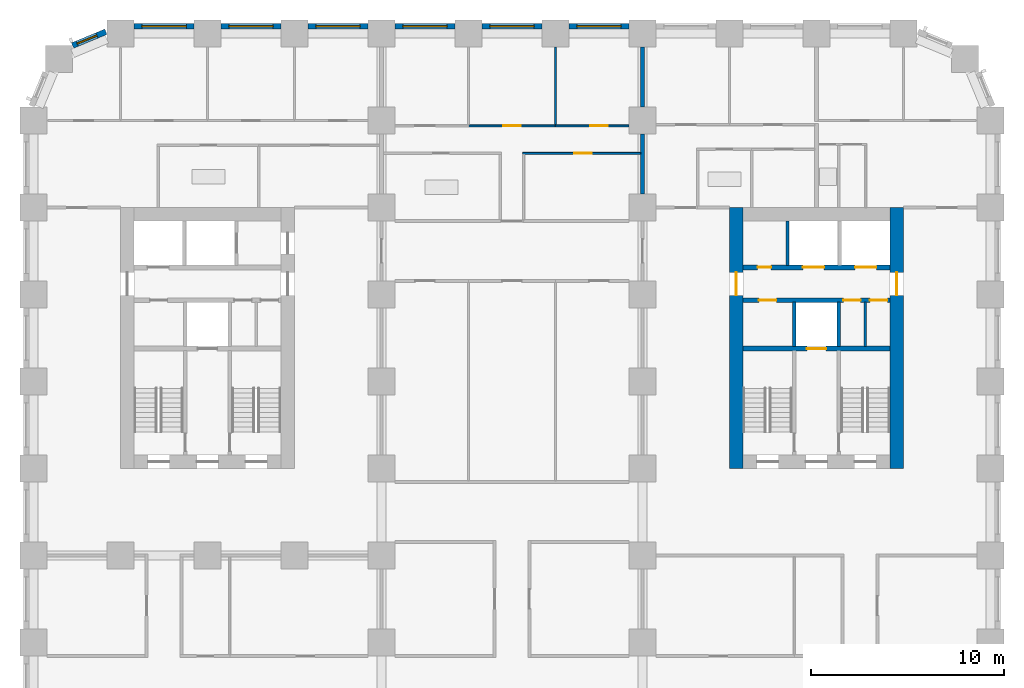
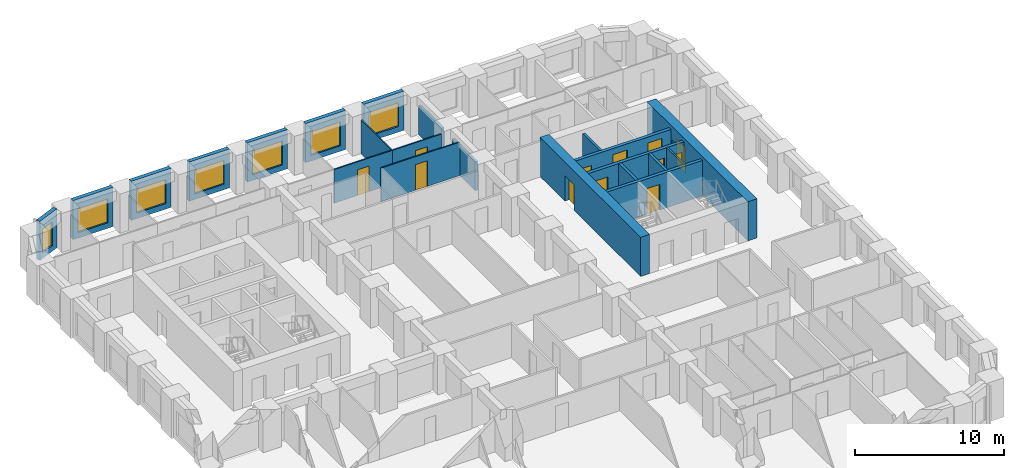
# One storey, part 8 of 13: 22 walls, 12 doors, 7 windows, 19 openings.
"""IFC4 building model written with IfcOpenShell, lengths in metres."""

from ifc_helpers import new_model, si_unit, direction, frame, frame_2d, origin, place, context, subcontext, project, spatial, rectangle, extrude, material, layer, layer_set, type_object, element, fill, save


model = new_model("IFC4")

# Units and contexts
model_context = context("Model", 3, precision=1e-05, world=origin(), true_north=direction((0.0, 1.0)))
body_context = subcontext(model_context, "Body", "Model", "MODEL_VIEW")
ifc_project = project(units=[si_unit("LENGTHUNIT", "METRE"), si_unit("AREAUNIT", "SQUARE_METRE"), si_unit("VOLUMEUNIT", "CUBIC_METRE"), si_unit("PLANEANGLEUNIT", "RADIAN"), si_unit("MASSUNIT", "GRAM", prefix="KILO")], contexts=[model_context])

# Site, building, storey
site_placement = place(None, origin())
site = spatial("IfcSite", under=ifc_project, at=site_placement, CompositionType="ELEMENT")
building_placement = place(site_placement, origin())
building = spatial("IfcBuilding", under=site, at=building_placement, Name="Girih Gate Residences", CompositionType="ELEMENT")
storey_placement = place(building_placement, frame((0.0, 0.0, 52.800048828125)))
storey = spatial("IfcBuildingStorey", under=building, at=storey_placement, Name="L13", CompositionType="ELEMENT", Elevation=52.800048828125)

# Wall, opening, door
ifc_material_1 = material(Name="Concrete C60/75", Category="concrete")
ifc_layer_1 = layer(ifc_material_1, 0.699951171875)
ifc_layer_set_1 = layer_set([ifc_layer_1], Name="Core wall RC 700 Concrete C60/75")
wall_type_1 = type_object("IfcWallType", Name="Core wall RC 700 Concrete C60/75", PredefinedType="SOLIDWALL", material=ifc_layer_set_1)
wall_1_placement = place(storey_placement, frame((36.35009765625, 27.0, 0.0), z_axis=(0.0, 0.0, 1.0), x_axis=(0.0, 1.0, 0.0)))
wall_1 = element("IfcWall", 1, at=wall_1_placement, inside=storey, type_object=wall_type_1, Name="Core wall E-W L13", PredefinedType="SOLIDWALL", context=body_context, shape_type="SweptSolid", body=[
    extrude(rectangle(XDim=13.5, YDim=0.699951171875, at=frame_2d((6.75, 0.0))), origin(), (0.0, 0.0, 1.0), 3.199951171875),
])
opening_1_placement = place(wall_1_placement, frame((8.949951171875, 0.0, 0.0)))
opening_1 = element("IfcOpeningElement", 2, at=opening_1_placement, cuts=wall_1, Name="Opening D-L13-E-013", PredefinedType="OPENING", context=body_context, shape_type="SweptSolid", body=[
    extrude(rectangle(XDim=1.199951171875, YDim=2.10009765625, at=frame_2d((0.60009765625, 1.050048828125))), frame((0.0, 0.35986328125, 0.0), z_axis=(0.0, -1.0, 0.0), x_axis=(1.0, 0.0, 0.0)), (0.0, 0.0, 1.0), 0.719970703125),
])
ifc_material_2 = material(Name="Painted steel, fire-resisting", Category="steel")
door_type_1 = type_object("IfcDoorType", Name="Fire door 1200x2100", OperationType="SINGLE_SWING_LEFT", PredefinedType="DOOR", material=ifc_material_2)
door_1_placement = place(opening_1_placement, origin())
door_1 = element("IfcDoor", 3, at=door_1_placement, inside=storey, type_object=door_type_1, Name="L13 E core door ll-w", OperationType="SINGLE_SWING_LEFT", OverallHeight=2.10009765625, OverallWidth=1.199951171875, PredefinedType="DOOR", context=body_context, shape_type="SweptSolid", body=[
    extrude(rectangle(XDim=1.199951171875, YDim=2.10009765625, at=frame_2d((0.60009765625, 1.050048828125))), frame((0.0, 0.02490234375, 0.0), z_axis=(0.0, -1.0, 0.0), x_axis=(1.0, 0.0, 0.0)), (0.0, 0.0, 1.0), 0.050048828125),
])
fill(opening_1, door_1)

wall_2_placement = place(storey_placement, frame((44.64990234375, 27.0, 0.0), z_axis=(0.0, 0.0, 1.0), x_axis=(0.0, 1.0, 0.0)))
wall_2 = element("IfcWall", 4, at=wall_2_placement, inside=storey, type_object=wall_type_1, Name="Core wall E-E L13", PredefinedType="SOLIDWALL", context=body_context, shape_type="SweptSolid", body=[
    extrude(rectangle(XDim=13.5, YDim=0.699951171875, at=frame_2d((6.75, 0.0))), origin(), (0.0, 0.0, 1.0), 3.199951171875),
])
opening_2_placement = place(wall_2_placement, frame((8.949951171875, 0.0, 0.0)))
opening_2 = element("IfcOpeningElement", 5, at=opening_2_placement, cuts=wall_2, Name="Opening D-L13-E-014", PredefinedType="OPENING", context=body_context, shape_type="SweptSolid", body=[
    extrude(rectangle(XDim=1.199951171875, YDim=2.10009765625, at=frame_2d((0.60009765625, 1.050048828125))), frame((0.0, 0.35986328125, 0.0), z_axis=(0.0, -1.0, 0.0), x_axis=(1.0, 0.0, 0.0)), (0.0, 0.0, 1.0), 0.719970703125),
])
door_2_placement = place(opening_2_placement, origin())
door_2 = element("IfcDoor", 6, at=door_2_placement, inside=storey, type_object=door_type_1, Name="L13 E core door ll-e", OperationType="SINGLE_SWING_LEFT", OverallHeight=2.10009765625, OverallWidth=1.199951171875, PredefinedType="DOOR", context=body_context, shape_type="SweptSolid", body=[
    extrude(rectangle(XDim=1.199951171875, YDim=2.10009765625, at=frame_2d((0.60009765625, 1.050048828125))), frame((0.0, 0.02490234375, 0.0), z_axis=(0.0, -1.0, 0.0), x_axis=(1.0, 0.0, 0.0)), (0.0, 0.0, 1.0), 0.050048828125),
])
fill(opening_2, door_2)

ifc_material_3 = material(Name="Concrete C40/50", Category="concrete")
ifc_layer_2 = layer(ifc_material_3, 0.25)
ifc_layer_set_2 = layer_set([ifc_layer_2], Name="Lift shaft wall 250")
wall_type_2 = type_object("IfcWallType", Name="Lift shaft wall 250", PredefinedType="SOLIDWALL", material=ifc_layer_set_2)
wall_3_placement = place(storey_placement, frame((36.699951171875, 33.199951171875, 0.0), z_axis=(0.0, 0.0, 1.0), x_axis=(1.0, 0.0, 0.0)))
wall_3 = element("IfcWall", 7, at=wall_3_placement, inside=storey, type_object=wall_type_2, Name="L13 E core wall H1", PredefinedType="SOLIDWALL", context=body_context, shape_type="SweptSolid", body=[
    extrude(rectangle(XDim=7.60009765625, YDim=0.25, at=frame_2d((3.800048828125, 0.0))), origin(), (0.0, 0.0, 1.0), 2.89990234375),
])
opening_3_placement = place(wall_3_placement, frame((3.300048828125, 0.0, 0.0)))
opening_3 = element("IfcOpeningElement", 8, at=opening_3_placement, cuts=wall_3, Name="Opening D-L13-E-005", PredefinedType="OPENING", context=body_context, shape_type="SweptSolid", body=[
    extrude(rectangle(XDim=1.0, YDim=2.10009765625, at=frame_2d((0.5, 1.050048828125))), frame((0.0, 0.135009765625, 0.0), z_axis=(0.0, -1.0, 0.0), x_axis=(1.0, 0.0, 0.0)), (0.0, 0.0, 1.0), 0.27001953125),
])
ifc_material_4 = material(Name="Stainless steel, fire-resisting", Category="steel")
door_type_2 = type_object("IfcDoorType", Name="Firefighting lift landing door 1000x2100", OperationType="SLIDING_TO_LEFT", PredefinedType="DOOR", material=ifc_material_4)
door_3_placement = place(opening_3_placement, origin())
door_3 = element("IfcDoor", 9, at=door_3_placement, inside=storey, type_object=door_type_2, Name="L13 lift FF-E landing door", OperationType="SLIDING_TO_LEFT", OverallHeight=2.10009765625, OverallWidth=1.0, PredefinedType="DOOR", context=body_context, shape_type="SweptSolid", body=[
    extrude(rectangle(XDim=1.0, YDim=2.10009765625, at=frame_2d((0.5, 1.050048828125))), frame((0.0, 0.02490234375, 0.0), z_axis=(0.0, -1.0, 0.0), x_axis=(1.0, 0.0, 0.0)), (0.0, 0.0, 1.0), 0.050048828125),
])
fill(opening_3, door_3)

# Wall, openings, doors
wall_4_placement = place(storey_placement, frame((36.699951171875, 35.699951171875, 0.0), z_axis=(0.0, 0.0, 1.0), x_axis=(1.0, 0.0, 0.0)))
wall_4 = element("IfcWall", 10, at=wall_4_placement, inside=storey, type_object=wall_type_2, Name="L13 E core wall H2", PredefinedType="SOLIDWALL", context=body_context, shape_type="SweptSolid", body=[
    extrude(rectangle(XDim=7.60009765625, YDim=0.25, at=frame_2d((3.800048828125, 0.0))), origin(), (0.0, 0.0, 1.0), 2.89990234375),
])
opening_4_placement = place(wall_4_placement, frame((6.5625, 0.0, 0.0)))
opening_4 = element("IfcOpeningElement", 11, at=opening_4_placement, cuts=wall_4, Name="Opening D-L13-E-007", PredefinedType="OPENING", context=body_context, shape_type="SweptSolid", body=[
    extrude(rectangle(XDim=0.89990234375, YDim=2.10009765625, at=frame_2d((0.449951171875, 1.050048828125))), frame((0.0, 0.135009765625, 0.0), z_axis=(0.0, -1.0, 0.0), x_axis=(1.0, 0.0, 0.0)), (0.0, 0.0, 1.0), 0.27001953125),
])
opening_5_placement = place(wall_4_placement, frame((5.1875, 0.0, 0.0)))
opening_5 = element("IfcOpeningElement", 12, at=opening_5_placement, cuts=wall_4, Name="Opening D-L13-E-008", PredefinedType="OPENING", context=body_context, shape_type="SweptSolid", body=[
    extrude(rectangle(XDim=0.89990234375, YDim=2.10009765625, at=frame_2d((0.449951171875, 1.050048828125))), frame((0.0, 0.135009765625, 0.0), z_axis=(0.0, -1.0, 0.0), x_axis=(1.0, 0.0, 0.0)), (0.0, 0.0, 1.0), 0.27001953125),
])
opening_6_placement = place(wall_4_placement, frame((0.824951171875, 0.0, 0.0)))
opening_6 = element("IfcOpeningElement", 13, at=opening_6_placement, cuts=wall_4, Name="Opening D-L13-E-009", PredefinedType="OPENING", context=body_context, shape_type="SweptSolid", body=[
    extrude(rectangle(XDim=0.89990234375, YDim=2.10009765625, at=frame_2d((0.449951171875, 1.050048828125))), frame((0.0, 0.135009765625, 0.0), z_axis=(0.0, -1.0, 0.0), x_axis=(1.0, 0.0, 0.0)), (0.0, 0.0, 1.0), 0.27001953125),
])
door_type_3 = type_object("IfcDoorType", Name="Fire door 900x2100", OperationType="SINGLE_SWING_LEFT", PredefinedType="DOOR", material=ifc_material_2)
door_4_placement = place(opening_4_placement, origin())
door_4 = element("IfcDoor", 14, at=door_4_placement, inside=storey, type_object=door_type_3, Name="L13 E riser room door", OperationType="SINGLE_SWING_LEFT", OverallHeight=2.10009765625, OverallWidth=0.89990234375, PredefinedType="DOOR", context=body_context, shape_type="SweptSolid", body=[
    extrude(rectangle(XDim=0.89990234375, YDim=2.10009765625, at=frame_2d((0.449951171875, 1.050048828125))), frame((0.0, 0.02490234375, 0.0), z_axis=(0.0, -1.0, 0.0), x_axis=(1.0, 0.0, 0.0)), (0.0, 0.0, 1.0), 0.050048828125),
])
fill(opening_4, door_4)
door_5_placement = place(opening_5_placement, origin())
door_5 = element("IfcDoor", 15, at=door_5_placement, inside=storey, type_object=door_type_3, Name="L13 E linen store door", OperationType="SINGLE_SWING_LEFT", OverallHeight=2.10009765625, OverallWidth=0.89990234375, PredefinedType="DOOR", context=body_context, shape_type="SweptSolid", body=[
    extrude(rectangle(XDim=0.89990234375, YDim=2.10009765625, at=frame_2d((0.449951171875, 1.050048828125))), frame((0.0, 0.02490234375, 0.0), z_axis=(0.0, -1.0, 0.0), x_axis=(1.0, 0.0, 0.0)), (0.0, 0.0, 1.0), 0.050048828125),
])
fill(opening_5, door_5)
door_6_placement = place(opening_6_placement, origin())
door_6 = element("IfcDoor", 16, at=door_6_placement, inside=storey, type_object=door_type_3, Name="L13 E pantry door", OperationType="SINGLE_SWING_LEFT", OverallHeight=2.10009765625, OverallWidth=0.89990234375, PredefinedType="DOOR", context=body_context, shape_type="SweptSolid", body=[
    extrude(rectangle(XDim=0.89990234375, YDim=2.10009765625, at=frame_2d((0.449951171875, 1.050048828125))), frame((0.0, 0.02490234375, 0.0), z_axis=(0.0, -1.0, 0.0), x_axis=(1.0, 0.0, 0.0)), (0.0, 0.0, 1.0), 0.050048828125),
])
fill(opening_6, door_6)

wall_5_placement = place(storey_placement, frame((36.699951171875, 37.39990234375, 0.0), z_axis=(0.0, 0.0, 1.0), x_axis=(1.0, 0.0, 0.0)))
wall_5 = element("IfcWall", 17, at=wall_5_placement, inside=storey, type_object=wall_type_2, Name="L13 E core wall H3", PredefinedType="SOLIDWALL", context=body_context, shape_type="SweptSolid", body=[
    extrude(rectangle(XDim=7.60009765625, YDim=0.25, at=frame_2d((3.800048828125, 0.0))), origin(), (0.0, 0.0, 1.0), 2.89990234375),
])
opening_7_placement = place(wall_5_placement, frame((5.800048828125, 0.0, 0.0)))
opening_7 = element("IfcOpeningElement", 18, at=opening_7_placement, cuts=wall_5, Name="Opening D-L13-E-003", PredefinedType="OPENING", context=body_context, shape_type="SweptSolid", body=[
    extrude(rectangle(XDim=1.10009765625, YDim=2.39990234375, at=frame_2d((0.550048828125, 1.199951171875))), frame((0.0, 0.135009765625, 0.0), z_axis=(0.0, -1.0, 0.0), x_axis=(1.0, 0.0, 0.0)), (0.0, 0.0, 1.0), 0.27001953125),
])
opening_8_placement = place(wall_5_placement, frame((3.10009765625, 0.0, 0.0)))
opening_8 = element("IfcOpeningElement", 19, at=opening_8_placement, cuts=wall_5, Name="Opening D-L13-E-004", PredefinedType="OPENING", context=body_context, shape_type="SweptSolid", body=[
    extrude(rectangle(XDim=1.10009765625, YDim=2.39990234375, at=frame_2d((0.550048828125, 1.199951171875))), frame((0.0, 0.135009765625, 0.0), z_axis=(0.0, -1.0, 0.0), x_axis=(1.0, 0.0, 0.0)), (0.0, 0.0, 1.0), 0.27001953125),
])
opening_9_placement = place(wall_5_placement, frame((0.75, 0.0, 0.0)))
opening_9 = element("IfcOpeningElement", 20, at=opening_9_placement, cuts=wall_5, Name="Opening D-L13-E-006", PredefinedType="OPENING", context=body_context, shape_type="SweptSolid", body=[
    extrude(rectangle(XDim=0.699951171875, YDim=2.10009765625, at=frame_2d((0.35009765625, 1.050048828125))), frame((0.0, 0.135009765625, 0.0), z_axis=(0.0, -1.0, 0.0), x_axis=(1.0, 0.0, 0.0)), (0.0, 0.0, 1.0), 0.27001953125),
])
ifc_material_5 = material(Name="Stainless steel", Category="steel")
door_type_4 = type_object("IfcDoorType", Name="Lift landing door 1100x2400", OperationType="SLIDING_TO_LEFT", PredefinedType="DOOR", material=ifc_material_5)
door_7_placement = place(opening_7_placement, origin())
door_7 = element("IfcDoor", 21, at=door_7_placement, inside=storey, type_object=door_type_4, Name="L13 lift LR-E1 landing door", OperationType="SLIDING_TO_LEFT", OverallHeight=2.39990234375, OverallWidth=1.10009765625, PredefinedType="DOOR", context=body_context, shape_type="SweptSolid", body=[
    extrude(rectangle(XDim=1.10009765625, YDim=2.39990234375, at=frame_2d((0.550048828125, 1.199951171875))), frame((0.0, 0.02490234375, 0.0), z_axis=(0.0, -1.0, 0.0), x_axis=(1.0, 0.0, 0.0)), (0.0, 0.0, 1.0), 0.050048828125),
])
fill(opening_7, door_7)
door_8_placement = place(opening_8_placement, origin())
door_8 = element("IfcDoor", 22, at=door_8_placement, inside=storey, type_object=door_type_4, Name="L13 lift LR-E2 landing door", OperationType="SLIDING_TO_LEFT", OverallHeight=2.39990234375, OverallWidth=1.10009765625, PredefinedType="DOOR", context=body_context, shape_type="SweptSolid", body=[
    extrude(rectangle(XDim=1.10009765625, YDim=2.39990234375, at=frame_2d((0.550048828125, 1.199951171875))), frame((0.0, 0.02490234375, 0.0), z_axis=(0.0, -1.0, 0.0), x_axis=(1.0, 0.0, 0.0)), (0.0, 0.0, 1.0), 0.050048828125),
])
fill(opening_8, door_8)
door_type_5 = type_object("IfcDoorType", Name="Riser access door 700x2100", OperationType="SINGLE_SWING_LEFT", PredefinedType="DOOR", material=ifc_material_2)
door_9_placement = place(opening_9_placement, origin())
door_9 = element("IfcDoor", 23, at=door_9_placement, inside=storey, type_object=door_type_5, Name="L13 E riser room door", OperationType="SINGLE_SWING_LEFT", OverallHeight=2.10009765625, OverallWidth=0.699951171875, PredefinedType="DOOR", context=body_context, shape_type="SweptSolid", body=[
    extrude(rectangle(XDim=0.699951171875, YDim=2.10009765625, at=frame_2d((0.35009765625, 1.050048828125))), frame((0.0, 0.02490234375, 0.0), z_axis=(0.0, -1.0, 0.0), x_axis=(1.0, 0.0, 0.0)), (0.0, 0.0, 1.0), 0.050048828125),
])
fill(opening_9, door_9)

# Wall
ifc_material_6 = material(Name="Gypsum board on steel studs", Category="steel")
ifc_layer_3 = layer(ifc_material_6, 0.10009765625)
ifc_layer_set_3 = layer_set([ifc_layer_3], Name="Partition 100 mm")
wall_type_3 = type_object("IfcWallType", Name="Partition 100 mm", PredefinedType="PARTITIONING", material=ifc_layer_set_3)
wall_6_placement = place(storey_placement, frame((27.0, 44.77001953125, 0.0), z_axis=(0.0, 0.0, 1.0), x_axis=(0.0, 1.0, 0.0)))
element("IfcWall", 24, at=wall_6_placement, inside=storey, type_object=wall_type_3, Name="L13 partition", PredefinedType="PARTITIONING", context=body_context, shape_type="SweptSolid", body=[
    extrude(rectangle(XDim=4.030029296875, YDim=0.10009765625, at=frame_2d((2.01513671875, 0.0))), origin(), (0.0, 0.0, 1.0), 2.75),
])

# Wall, opening, door
wall_7_placement = place(storey_placement, frame((22.5, 44.719970703125, 0.0), z_axis=(0.0, 0.0, 1.0), x_axis=(1.0, 0.0, 0.0)))
wall_7 = element("IfcWall", 25, at=wall_7_placement, inside=storey, type_object=wall_type_3, Name="L13 partition", PredefinedType="PARTITIONING", context=body_context, shape_type="SweptSolid", body=[
    extrude(rectangle(XDim=4.5, YDim=0.10009765625, at=frame_2d((2.25, 0.0))), origin(), (0.0, 0.0, 1.0), 2.75),
])
opening_10_placement = place(wall_7_placement, frame((1.800048828125, 0.0, 0.0)))
opening_10 = element("IfcOpeningElement", 26, at=opening_10_placement, cuts=wall_7, Name="Opening A13-040", PredefinedType="OPENING", context=body_context, shape_type="SweptSolid", body=[
    extrude(rectangle(XDim=0.89990234375, YDim=2.10009765625, at=frame_2d((0.449951171875, 1.050048828125))), frame((0.0, 0.06005859375, 0.0), z_axis=(0.0, -1.0, 0.0), x_axis=(1.0, 0.0, 0.0)), (0.0, 0.0, 1.0), 0.1201171875),
])
ifc_material_7 = material(Name="Timber", Category="wood")
door_type_6 = type_object("IfcDoorType", Name="Bedroom door 900x2100", OperationType="NOTDEFINED", PredefinedType="DOOR", material=ifc_material_7)
door_10_placement = place(opening_10_placement, origin())
door_10 = element("IfcDoor", 27, at=door_10_placement, inside=storey, type_object=door_type_6, Name="Door A13-040", OperationType="SINGLE_SWING_LEFT", OverallHeight=2.10009765625, OverallWidth=0.89990234375, PredefinedType="DOOR", context=body_context, shape_type="SweptSolid", body=[
    extrude(rectangle(XDim=0.89990234375, YDim=2.10009765625, at=frame_2d((0.449951171875, 1.050048828125))), frame((0.0, 0.02490234375, 0.0), z_axis=(0.0, -1.0, 0.0), x_axis=(1.0, 0.0, 0.0)), (0.0, 0.0, 1.0), 0.050048828125),
])
fill(opening_10, door_10)

wall_8_placement = place(storey_placement, frame((27.0, 44.719970703125, 0.0), z_axis=(0.0, 0.0, 1.0), x_axis=(1.0, 0.0, 0.0)))
wall_8 = element("IfcWall", 28, at=wall_8_placement, inside=storey, type_object=wall_type_3, Name="L13 partition", PredefinedType="PARTITIONING", context=body_context, shape_type="SweptSolid", body=[
    extrude(rectangle(XDim=3.800048828125, YDim=0.10009765625, at=frame_2d((1.89990234375, 0.0))), origin(), (0.0, 0.0, 1.0), 2.75),
])
opening_11_placement = place(wall_8_placement, frame((1.800048828125, 0.0, 0.0)))
opening_11 = element("IfcOpeningElement", 29, at=opening_11_placement, cuts=wall_8, Name="Opening A13-041", PredefinedType="OPENING", context=body_context, shape_type="SweptSolid", body=[
    extrude(rectangle(XDim=0.89990234375, YDim=2.10009765625, at=frame_2d((0.449951171875, 1.050048828125))), frame((0.0, 0.06005859375, 0.0), z_axis=(0.0, -1.0, 0.0), x_axis=(1.0, 0.0, 0.0)), (0.0, 0.0, 1.0), 0.1201171875),
])
door_11_placement = place(opening_11_placement, origin())
door_11 = element("IfcDoor", 30, at=door_11_placement, inside=storey, type_object=door_type_6, Name="Door A13-041", OperationType="SINGLE_SWING_RIGHT", OverallHeight=2.10009765625, OverallWidth=0.89990234375, PredefinedType="DOOR", context=body_context, shape_type="SweptSolid", body=[
    extrude(rectangle(XDim=0.89990234375, YDim=2.10009765625, at=frame_2d((0.449951171875, 1.050048828125))), frame((0.0, 0.02490234375, 0.0), z_axis=(0.0, -1.0, 0.0), x_axis=(1.0, 0.0, 0.0)), (0.0, 0.0, 1.0), 0.050048828125),
])
fill(opening_11, door_11)

wall_9_placement = place(storey_placement, frame((31.39990234375, 43.300048828125, 0.0), z_axis=(0.0, 0.0, 1.0), x_axis=(-1.0, 0.0, 0.0)))
wall_9 = element("IfcWall", 31, at=wall_9_placement, inside=storey, type_object=wall_type_3, Name="L13 partition", PredefinedType="PARTITIONING", context=body_context, shape_type="SweptSolid", body=[
    extrude(rectangle(XDim=6.099853515625, YDim=0.10009765625, at=frame_2d((3.0498046875, 0.0))), origin(), (0.0, 0.0, 1.0), 2.75),
])
opening_12_placement = place(wall_9_placement, frame((2.52490234375, 0.0, 0.0)))
opening_12 = element("IfcOpeningElement", 32, at=opening_12_placement, cuts=wall_9, Name="Opening A13-042", PredefinedType="OPENING", context=body_context, shape_type="SweptSolid", body=[
    extrude(rectangle(XDim=0.89990234375, YDim=2.10009765625, at=frame_2d((0.449951171875, 1.050048828125))), frame((0.0, 0.06005859375, 0.0), z_axis=(0.0, -1.0, 0.0), x_axis=(1.0, 0.0, 0.0)), (0.0, 0.0, 1.0), 0.1201171875),
])
door_type_7 = type_object("IfcDoorType", Name="Kitchen door 900x2100", OperationType="NOTDEFINED", PredefinedType="DOOR", material=ifc_material_7)
door_12_placement = place(opening_12_placement, origin())
door_12 = element("IfcDoor", 33, at=door_12_placement, inside=storey, type_object=door_type_7, Name="Door A13-042", OperationType="SINGLE_SWING_LEFT", OverallHeight=2.10009765625, OverallWidth=0.89990234375, PredefinedType="DOOR", context=body_context, shape_type="SweptSolid", body=[
    extrude(rectangle(XDim=0.89990234375, YDim=2.10009765625, at=frame_2d((0.449951171875, 1.050048828125))), frame((0.0, 0.02490234375, 0.0), z_axis=(0.0, -1.0, 0.0), x_axis=(1.0, 0.0, 0.0)), (0.0, 0.0, 1.0), 0.050048828125),
])
fill(opening_12, door_12)

# Walls
ifc_layer_4 = layer(ifc_material_6, 0.199951171875)
ifc_layer_set_4 = layer_set([ifc_layer_4], Name="Party wall 200 mm")
wall_type_4 = type_object("IfcWallType", Name="Party wall 200 mm", PredefinedType="PARTITIONING", material=ifc_layer_set_4)
for number, where, z_axis, x_axis, name in (
    (34, (31.5, 41.199951171875, 0.0), (0.0, 0.0, 1.0), (0.0, 1.0, 0.0), "L13 partition"),
    (35, (31.5, 45.699951171875, 0.0), (0.0, 0.0, 1.0), (0.0, 1.0, 0.0), "L13 partition"),
):
    element("IfcWall", number, at=place(storey_placement, frame(where, z_axis=z_axis, x_axis=x_axis)), inside=storey, type_object=wall_type_4, Name=name, PredefinedType="PARTITIONING", context=body_context, shape_type="SweptSolid", body=[
        extrude(rectangle(XDim=3.10009765625, YDim=0.199951171875, at=frame_2d((1.550048828125, 0.0))), origin(), (0.0, 0.0, 1.0), 2.3798828125),
    ])

# Wall, opening, window
ifc_material_8 = material(Name="Precast concrete C50/60", Category="concrete")
ifc_layer_5 = layer(ifc_material_8, 0.080078125, Name="Outer leaf")
ifc_material_9 = material(Name="Rigid PIR insulation")
ifc_layer_6 = layer(ifc_material_9, 0.14990234375, Name="Insulation")
ifc_material_10 = material(Name="Precast concrete C40/50", Category="concrete")
ifc_layer_7 = layer(ifc_material_10, 0.070068359375, Name="Inner leaf")
ifc_layer_set_5 = layer_set([ifc_layer_5, ifc_layer_6, ifc_layer_7], Name="Precast concrete C50/60 external wall 300")
wall_type_5 = type_object("IfcWallType", Name="Precast concrete C50/60 external wall 300", PredefinedType="SOLIDWALL", material=ifc_layer_set_5)
wall_10_placement = place(storey_placement, frame((27.699951171875, 49.875, 0.0), z_axis=(0.0, 0.0, 1.0), x_axis=(1.0, 0.0, 0.0)))
wall_10 = element("IfcWall", 36, at=wall_10_placement, inside=storey, type_object=wall_type_5, Name="External wall N0450_0495.3", PredefinedType="SOLIDWALL", context=body_context, shape_type="SweptSolid", body=[
    extrude(rectangle(XDim=3.10009765625, YDim=0.300048828125, at=frame_2d((1.550048828125, 0.0))), origin(), (0.0, 0.0, 1.0), 3.199951171875),
])
opening_13_placement = place(wall_10_placement, frame((0.39990234375, 0.0, 0.449951171875)))
opening_13 = element("IfcOpeningElement", 37, at=opening_13_placement, cuts=wall_10, Name="Opening W-1", PredefinedType="OPENING", context=body_context, shape_type="SweptSolid", body=[
    extrude(rectangle(XDim=2.300048828125, YDim=1.949951171875, at=frame_2d((1.14990234375, 0.97509765625))), frame((0.0, 0.159912109375, 0.0), z_axis=(0.0, -1.0, 0.0), x_axis=(1.0, 0.0, 0.0)), (0.0, 0.0, 1.0), 0.320068359375),
])
ifc_material_11 = material(Name="Double glazing in aluminium frame", Category="aluminium")
window_type_1 = type_object("IfcWindowType", Name="Window W-1 2300x1950", PartitioningType="SINGLE_PANEL", PredefinedType="WINDOW", material=ifc_material_11)
window_1_placement = place(opening_13_placement, origin())
window_1 = element("IfcWindow", 38, at=window_1_placement, inside=storey, type_object=window_type_1, Name="Window W-1 N0450_0495.3", OverallHeight=1.949951171875, OverallWidth=2.300048828125, PartitioningType="SINGLE_PANEL", PredefinedType="WINDOW", context=body_context, shape_type="SweptSolid", body=[
    extrude(rectangle(XDim=2.300048828125, YDim=1.949951171875, at=frame_2d((1.14990234375, 0.97509765625))), frame((0.0, 0.030029296875, 0.0), z_axis=(0.0, -1.0, 0.0), x_axis=(1.0, 0.0, 0.0)), (0.0, 0.0, 1.0), 0.06005859375),
])
fill(opening_13, window_1)

wall_11_placement = place(storey_placement, frame((23.199951171875, 49.875, 0.0), z_axis=(0.0, 0.0, 1.0), x_axis=(1.0, 0.0, 0.0)))
wall_11 = element("IfcWall", 39, at=wall_11_placement, inside=storey, type_object=wall_type_5, Name="External wall N0450_0495.4", PredefinedType="SOLIDWALL", context=body_context, shape_type="SweptSolid", body=[
    extrude(rectangle(XDim=3.10009765625, YDim=0.300048828125, at=frame_2d((1.550048828125, 0.0))), origin(), (0.0, 0.0, 1.0), 3.199951171875),
])
opening_14_placement = place(wall_11_placement, frame((0.39990234375, 0.0, 0.449951171875)))
opening_14 = element("IfcOpeningElement", 40, at=opening_14_placement, cuts=wall_11, Name="Opening W-1", PredefinedType="OPENING", context=body_context, shape_type="SweptSolid", body=[
    extrude(rectangle(XDim=2.300048828125, YDim=1.949951171875, at=frame_2d((1.14990234375, 0.97509765625))), frame((0.0, 0.159912109375, 0.0), z_axis=(0.0, -1.0, 0.0), x_axis=(1.0, 0.0, 0.0)), (0.0, 0.0, 1.0), 0.320068359375),
])
window_2_placement = place(opening_14_placement, origin())
window_2 = element("IfcWindow", 41, at=window_2_placement, inside=storey, type_object=window_type_1, Name="Window W-1 N0450_0495.4", OverallHeight=1.949951171875, OverallWidth=2.300048828125, PartitioningType="SINGLE_PANEL", PredefinedType="WINDOW", context=body_context, shape_type="SweptSolid", body=[
    extrude(rectangle(XDim=2.300048828125, YDim=1.949951171875, at=frame_2d((1.14990234375, 0.97509765625))), frame((0.0, 0.030029296875, 0.0), z_axis=(0.0, -1.0, 0.0), x_axis=(1.0, 0.0, 0.0)), (0.0, 0.0, 1.0), 0.06005859375),
])
fill(opening_14, window_2)

wall_12_placement = place(storey_placement, frame((18.699951171875, 49.875, 0.0), z_axis=(0.0, 0.0, 1.0), x_axis=(1.0, 0.0, 0.0)))
wall_12 = element("IfcWall", 42, at=wall_12_placement, inside=storey, type_object=wall_type_5, Name="External wall N0450_0495.5", PredefinedType="SOLIDWALL", context=body_context, shape_type="SweptSolid", body=[
    extrude(rectangle(XDim=3.10009765625, YDim=0.300048828125, at=frame_2d((1.550048828125, 0.0))), origin(), (0.0, 0.0, 1.0), 3.199951171875),
])
opening_15_placement = place(wall_12_placement, frame((0.39990234375, 0.0, 0.449951171875)))
opening_15 = element("IfcOpeningElement", 43, at=opening_15_placement, cuts=wall_12, Name="Opening W-1", PredefinedType="OPENING", context=body_context, shape_type="SweptSolid", body=[
    extrude(rectangle(XDim=2.300048828125, YDim=1.949951171875, at=frame_2d((1.14990234375, 0.97509765625))), frame((0.0, 0.159912109375, 0.0), z_axis=(0.0, -1.0, 0.0), x_axis=(1.0, 0.0, 0.0)), (0.0, 0.0, 1.0), 0.320068359375),
])
window_3_placement = place(opening_15_placement, origin())
window_3 = element("IfcWindow", 44, at=window_3_placement, inside=storey, type_object=window_type_1, Name="Window W-1 N0450_0495.5", OverallHeight=1.949951171875, OverallWidth=2.300048828125, PartitioningType="SINGLE_PANEL", PredefinedType="WINDOW", context=body_context, shape_type="SweptSolid", body=[
    extrude(rectangle(XDim=2.300048828125, YDim=1.949951171875, at=frame_2d((1.14990234375, 0.97509765625))), frame((0.0, 0.030029296875, 0.0), z_axis=(0.0, -1.0, 0.0), x_axis=(1.0, 0.0, 0.0)), (0.0, 0.0, 1.0), 0.06005859375),
])
fill(opening_15, window_3)

wall_13_placement = place(storey_placement, frame((14.199951171875, 49.875, 0.0), z_axis=(0.0, 0.0, 1.0), x_axis=(1.0, 0.0, 0.0)))
wall_13 = element("IfcWall", 45, at=wall_13_placement, inside=storey, type_object=wall_type_5, Name="External wall N0450_0495.6", PredefinedType="SOLIDWALL", context=body_context, shape_type="SweptSolid", body=[
    extrude(rectangle(XDim=3.10009765625, YDim=0.300048828125, at=frame_2d((1.550048828125, 0.0))), origin(), (0.0, 0.0, 1.0), 3.199951171875),
])
opening_16_placement = place(wall_13_placement, frame((0.39990234375, 0.0, 0.449951171875)))
opening_16 = element("IfcOpeningElement", 46, at=opening_16_placement, cuts=wall_13, Name="Opening W-1", PredefinedType="OPENING", context=body_context, shape_type="SweptSolid", body=[
    extrude(rectangle(XDim=2.300048828125, YDim=1.949951171875, at=frame_2d((1.14990234375, 0.97509765625))), frame((0.0, 0.159912109375, 0.0), z_axis=(0.0, -1.0, 0.0), x_axis=(1.0, 0.0, 0.0)), (0.0, 0.0, 1.0), 0.320068359375),
])
window_4_placement = place(opening_16_placement, origin())
window_4 = element("IfcWindow", 47, at=window_4_placement, inside=storey, type_object=window_type_1, Name="Window W-1 N0450_0495.6", OverallHeight=1.949951171875, OverallWidth=2.300048828125, PartitioningType="SINGLE_PANEL", PredefinedType="WINDOW", context=body_context, shape_type="SweptSolid", body=[
    extrude(rectangle(XDim=2.300048828125, YDim=1.949951171875, at=frame_2d((1.14990234375, 0.97509765625))), frame((0.0, 0.030029296875, 0.0), z_axis=(0.0, -1.0, 0.0), x_axis=(1.0, 0.0, 0.0)), (0.0, 0.0, 1.0), 0.06005859375),
])
fill(opening_16, window_4)

wall_14_placement = place(storey_placement, frame((9.699951171875, 49.875, 0.0), z_axis=(0.0, 0.0, 1.0), x_axis=(1.0, 0.0, 0.0)))
wall_14 = element("IfcWall", 48, at=wall_14_placement, inside=storey, type_object=wall_type_5, Name="External wall N0450_0495.7", PredefinedType="SOLIDWALL", context=body_context, shape_type="SweptSolid", body=[
    extrude(rectangle(XDim=3.10009765625, YDim=0.300048828125, at=frame_2d((1.550048828125, 0.0))), origin(), (0.0, 0.0, 1.0), 3.199951171875),
])
opening_17_placement = place(wall_14_placement, frame((0.39990234375, 0.0, 0.449951171875)))
opening_17 = element("IfcOpeningElement", 49, at=opening_17_placement, cuts=wall_14, Name="Opening W-1", PredefinedType="OPENING", context=body_context, shape_type="SweptSolid", body=[
    extrude(rectangle(XDim=2.300048828125, YDim=1.949951171875, at=frame_2d((1.14990234375, 0.97509765625))), frame((0.0, 0.159912109375, 0.0), z_axis=(0.0, -1.0, 0.0), x_axis=(1.0, 0.0, 0.0)), (0.0, 0.0, 1.0), 0.320068359375),
])
window_5_placement = place(opening_17_placement, origin())
window_5 = element("IfcWindow", 50, at=window_5_placement, inside=storey, type_object=window_type_1, Name="Window W-1 N0450_0495.7", OverallHeight=1.949951171875, OverallWidth=2.300048828125, PartitioningType="SINGLE_PANEL", PredefinedType="WINDOW", context=body_context, shape_type="SweptSolid", body=[
    extrude(rectangle(XDim=2.300048828125, YDim=1.949951171875, at=frame_2d((1.14990234375, 0.97509765625))), frame((0.0, 0.030029296875, 0.0), z_axis=(0.0, -1.0, 0.0), x_axis=(1.0, 0.0, 0.0)), (0.0, 0.0, 1.0), 0.06005859375),
])
fill(opening_17, window_5)

wall_15_placement = place(storey_placement, frame((5.199951171875, 49.875, 0.0), z_axis=(0.0, 0.0, 1.0), x_axis=(1.0, 0.0, 0.0)))
wall_15 = element("IfcWall", 51, at=wall_15_placement, inside=storey, type_object=wall_type_5, Name="External wall N0450_0495.8", PredefinedType="SOLIDWALL", context=body_context, shape_type="SweptSolid", body=[
    extrude(rectangle(XDim=3.10009765625, YDim=0.300048828125, at=frame_2d((1.550048828125, 0.0))), origin(), (0.0, 0.0, 1.0), 3.199951171875),
])
opening_18_placement = place(wall_15_placement, frame((0.39990234375, 0.0, 0.449951171875)))
opening_18 = element("IfcOpeningElement", 52, at=opening_18_placement, cuts=wall_15, Name="Opening W-1", PredefinedType="OPENING", context=body_context, shape_type="SweptSolid", body=[
    extrude(rectangle(XDim=2.300048828125, YDim=1.949951171875, at=frame_2d((1.14990234375, 0.97509765625))), frame((0.0, 0.159912109375, 0.0), z_axis=(0.0, -1.0, 0.0), x_axis=(1.0, 0.0, 0.0)), (0.0, 0.0, 1.0), 0.320068359375),
])
window_6_placement = place(opening_18_placement, origin())
window_6 = element("IfcWindow", 53, at=window_6_placement, inside=storey, type_object=window_type_1, Name="Window W-1 N0450_0495.8", OverallHeight=1.949951171875, OverallWidth=2.300048828125, PartitioningType="SINGLE_PANEL", PredefinedType="WINDOW", context=body_context, shape_type="SweptSolid", body=[
    extrude(rectangle(XDim=2.300048828125, YDim=1.949951171875, at=frame_2d((1.14990234375, 0.97509765625))), frame((0.0, 0.030029296875, 0.0), z_axis=(0.0, -1.0, 0.0), x_axis=(1.0, 0.0, 0.0)), (0.0, 0.0, 1.0), 0.06005859375),
])
fill(opening_18, window_6)

wall_16_placement = place(storey_placement, frame((2.01953125, 48.87841796875, 0.0), z_axis=(0.0, 0.0, 1.0), x_axis=(0.923903565336, 0.38262540684, 0.0)))
wall_16 = element("IfcWall", 54, at=wall_16_placement, inside=storey, type_object=wall_type_5, Name="External wall NW0045_0495.0", PredefinedType="SOLIDWALL", context=body_context, shape_type="SweptSolid", body=[
    extrude(rectangle(XDim=1.864990234375, YDim=0.300048828125, at=frame_2d((0.9326171875, 0.0))), origin(), (0.0, 0.0, 1.0), 3.199951171875),
])
opening_19_placement = place(wall_16_placement, frame((0.257568359375, 0.0, 0.449951171875)))
opening_19 = element("IfcOpeningElement", 55, at=opening_19_placement, cuts=wall_16, Name="Opening W-2C", PredefinedType="OPENING", context=body_context, shape_type="SweptSolid", body=[
    extrude(rectangle(XDim=1.10009765625, YDim=1.949951171875, at=frame_2d((0.550048828125, 0.97509765625))), frame((0.0, 0.159912109375, 0.0), z_axis=(0.0, -1.0, 0.0), x_axis=(1.0, 0.0, 0.0)), (0.0, 0.0, 1.0), 0.320068359375),
])
window_type_2 = type_object("IfcWindowType", Name="Window W-2C 1100x1950", PartitioningType="SINGLE_PANEL", PredefinedType="WINDOW", material=ifc_material_11)
window_7_placement = place(opening_19_placement, origin())
window_7 = element("IfcWindow", 56, at=window_7_placement, inside=storey, type_object=window_type_2, Name="Window W-2C NW0045_0495.0", OverallHeight=1.949951171875, OverallWidth=1.10009765625, PartitioningType="SINGLE_PANEL", PredefinedType="WINDOW", context=body_context, shape_type="SweptSolid", body=[
    extrude(rectangle(XDim=1.10009765625, YDim=1.949951171875, at=frame_2d((0.550048828125, 0.97509765625))), frame((0.0, 0.030029296875, 0.0), z_axis=(0.0, -1.0, 0.0), x_axis=(1.0, 0.0, 0.0)), (0.0, 0.0, 1.0), 0.06005859375),
])
fill(opening_19, window_7)

# Walls
ifc_layer_8 = layer(ifc_material_3, 0.175048828125)
ifc_layer_set_6 = layer_set([ifc_layer_8], Name="Riser shaft wall 175")
wall_type_6 = type_object("IfcWallType", Name="Riser shaft wall 175", PredefinedType="SOLIDWALL", material=ifc_layer_set_6)
wall_17_placement = place(storey_placement, frame((39.0, 37.5, 0.0), z_axis=(0.0, 0.0, 1.0), x_axis=(0.0, 1.0, 0.0)))
element("IfcWall", 57, at=wall_17_placement, inside=storey, type_object=wall_type_6, Name="L13 E core wall V2c", PredefinedType="SOLIDWALL", context=body_context, shape_type="SweptSolid", body=[
    extrude(rectangle(XDim=2.300048828125, YDim=0.175048828125, at=frame_2d((1.14990234375, 0.0))), origin(), (0.0, 0.0, 1.0), 2.89990234375),
])
ifc_layer_9 = layer(ifc_material_3, 0.199951171875)
ifc_layer_set_7 = layer_set([ifc_layer_9], Name="Shaft wall 200")
wall_type_7 = type_object("IfcWallType", Name="Shaft wall 200", PredefinedType="SOLIDWALL", material=ifc_layer_set_7)
for number, where, z_axis, x_axis, name in (
    (58, (41.64990234375, 33.300048828125, 0.0), (0.0, 0.0, 1.0), (0.0, 1.0, 0.0), "L13 E core wall V1b"),
    (59, (39.35009765625, 33.300048828125, 0.0), (0.0, 0.0, 1.0), (0.0, 1.0, 0.0), "L13 E core wall V2b"),
):
    element("IfcWall", number, at=place(storey_placement, frame(where, z_axis=z_axis, x_axis=x_axis)), inside=storey, type_object=wall_type_7, Name=name, PredefinedType="SOLIDWALL", context=body_context, shape_type="SweptSolid", body=[
        extrude(rectangle(XDim=2.300048828125, YDim=0.199951171875, at=frame_2d((1.14990234375, 0.0))), origin(), (0.0, 0.0, 1.0), 2.89990234375),
    ])
ifc_material_12 = material(Name="Calcium silicate blockwork", Category="masonry")
ifc_layer_10 = layer(ifc_material_12, 0.125)
ifc_layer_set_8 = layer_set([ifc_layer_10], Name="Store partition 125")
wall_type_8 = type_object("IfcWallType", Name="Store partition 125", PredefinedType="PARTITIONING", material=ifc_layer_set_8)
wall_18_placement = place(storey_placement, frame((43.02490234375, 33.300048828125, 0.0), z_axis=(0.0, 0.0, 1.0), x_axis=(0.0, 1.0, 0.0)))
element("IfcWall", 60, at=wall_18_placement, inside=storey, type_object=wall_type_8, Name="L13 E core wall SHR1", PredefinedType="PARTITIONING", context=body_context, shape_type="SweptSolid", body=[
    extrude(rectangle(XDim=2.300048828125, YDim=0.125, at=frame_2d((1.14990234375, 0.0))), origin(), (0.0, 0.0, 1.0), 2.89990234375),
])

save(model, "model.ifc")
